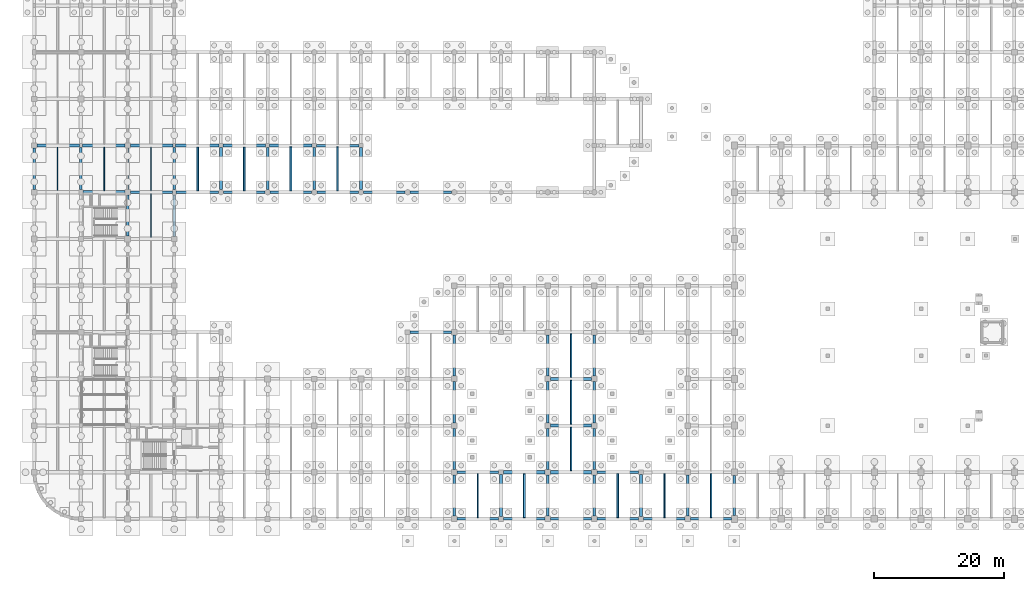
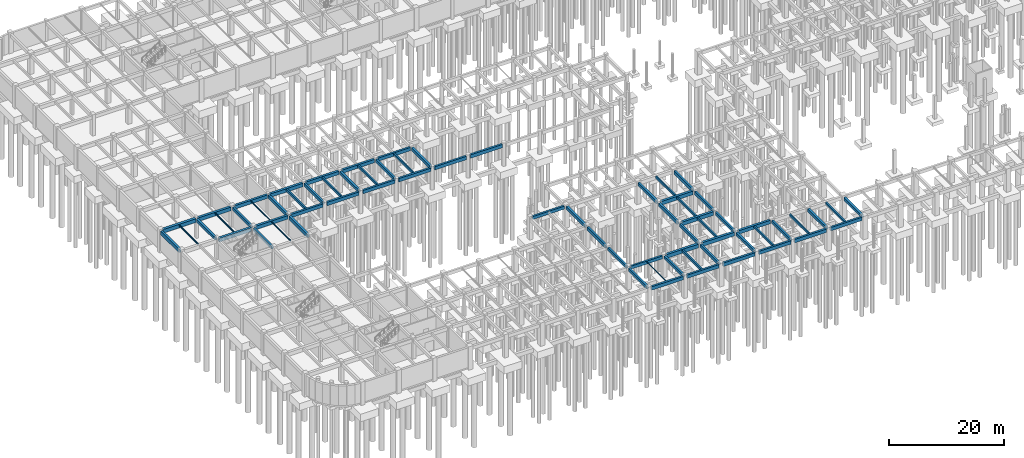
# One storey, part 26 of 47: 70 beams.
"""IFC4 building model written with IfcOpenShell, lengths in metres."""

from ifc_helpers import new_model, si_unit, direction, frame, origin, origin_2d, place, context, subcontext, project, spatial, rectangle, i_section, extrude, material, material_profile, profile_set, type_object, element, save


model = new_model("IFC4")

# Units and contexts
model_context = context("Model", 3, precision=1e-05, world=origin(), true_north=direction((0.0, 1.0)))
body_context = subcontext(model_context, "Body", "Model", "MODEL_VIEW")
ifc_project = project(units=[si_unit("LENGTHUNIT", "METRE"), si_unit("AREAUNIT", "SQUARE_METRE"), si_unit("VOLUMEUNIT", "CUBIC_METRE"), si_unit("PLANEANGLEUNIT", "RADIAN"), si_unit("MASSUNIT", "GRAM", prefix="KILO")], contexts=[model_context])

# Site, building, storey
site_placement = place(None, origin())
site = spatial("IfcSite", under=ifc_project, at=site_placement, CompositionType="ELEMENT")
building_placement = place(site_placement, origin())
building = spatial("IfcBuilding", under=site, at=building_placement, Name="Thalmaran Polytechnic", CompositionType="ELEMENT")
storey_placement = place(building_placement, frame((0.0, 0.0, -4.5)))
storey = spatial("IfcBuildingStorey", under=building, at=storey_placement, Name="B1", CompositionType="ELEMENT", Elevation=-4.5)

# Beams
ifc_material_1 = material(Name="Concrete C40/50", Category="concrete")
ifc_material_profile_1 = material_profile(ifc_material_1, rectangle(XDim=0.5, YDim=0.800048828125, at=origin_2d()), Name="RC 500x800")
ifc_profile_set_1 = profile_set([ifc_material_profile_1], Name="Concrete C40/50")
beam_type_1 = type_object("IfcBeamType", Name="BM-RC02", PredefinedType="BEAM", material=ifc_profile_set_1)
beam_1_placement = place(storey_placement, frame((0.409912109375, 57.60009765625, 3.77001953125), z_axis=(1.0, 0.0, 0.0), x_axis=(0.0, 1.0, 0.0)))
element("IfcBeam", 1, at=beam_1_placement, inside=storey, type_object=beam_type_1, Name="Grid Beam B02 B1 X(0,8)", PredefinedType="BEAM", context=body_context, shape_type="SweptSolid", body=[
    extrude(rectangle(XDim=0.5, YDim=0.800048828125, at=origin_2d()), origin(), (0.0, 0.0, 1.0), 6.565185546875),
])
beam_2_placement = place(storey_placement, frame((72.375, 7.199951171875, 3.7900390625), z_axis=(1.0, 0.0, 0.0), x_axis=(0.0, 1.0, 0.0)))
element("IfcBeam", 2, at=beam_2_placement, inside=storey, type_object=beam_type_1, Name="Grid Beam B02 B1 X(10,1)", PredefinedType="BEAM", context=body_context, shape_type="SweptSolid", body=[
    extrude(rectangle(XDim=0.5, YDim=0.800048828125, at=origin_2d()), origin(), (0.0, 0.0, 1.0), 6.39990234375),
])
ifc_material_profile_2 = material_profile(ifc_material_1, rectangle(XDim=0.449951171875, YDim=0.75, at=origin_2d()), Name="RC 450x750")
ifc_profile_set_2 = profile_set([ifc_material_profile_2], Name="Concrete C40/50")
beam_type_2 = type_object("IfcBeamType", Name="BM-RC03", PredefinedType="BEAM", material=ifc_profile_set_2)
beam_3_placement = place(storey_placement, frame((14.840087890625, 50.39990234375, 3.794921875), z_axis=(1.0, 0.0, 0.0), x_axis=(0.0, 1.0, 0.0)))
element("IfcBeam", 3, at=beam_3_placement, inside=storey, type_object=beam_type_2, Name="Grid Beam B03 B1 X(2,7)", PredefinedType="BEAM", context=body_context, shape_type="SweptSolid", body=[
    extrude(rectangle(XDim=0.449951171875, YDim=0.75, at=origin_2d()), origin(), (0.0, 0.0, 1.0), 6.4599609375),
])
beam_4_placement = place(storey_placement, frame((14.81005859375, 57.60009765625, 3.794921875), z_axis=(1.0, 0.0, 0.0), x_axis=(0.0, 1.0, 0.0)))
element("IfcBeam", 4, at=beam_4_placement, inside=storey, type_object=beam_type_2, Name="Grid Beam B03 B1 X(2,8)", PredefinedType="BEAM", context=body_context, shape_type="SweptSolid", body=[
    extrude(rectangle(XDim=0.449951171875, YDim=0.75, at=origin_2d()), origin(), (0.0, 0.0, 1.0), 6.56494140625),
])
beam_5_placement = place(storey_placement, frame((86.824951171875, 7.199951171875, 3.81494140625), z_axis=(1.0, 0.0, 0.0), x_axis=(0.0, 1.0, 0.0)))
element("IfcBeam", 5, at=beam_5_placement, inside=storey, type_object=beam_type_2, Name="Grid Beam B03 B1 X(12,1)", PredefinedType="BEAM", context=body_context, shape_type="SweptSolid", body=[
    extrude(rectangle(XDim=0.449951171875, YDim=0.75, at=origin_2d()), origin(), (0.0, 0.0, 1.0), 6.400146484375),
])
ifc_material_profile_3 = material_profile(ifc_material_1, rectangle(XDim=0.449951171875, YDim=0.72509765625, at=origin_2d()), Name="RC 450x725")
ifc_profile_set_3 = profile_set([ifc_material_profile_3], Name="Concrete C40/50")
beam_type_3 = type_object("IfcBeamType", Name="BM-RC04", PredefinedType="BEAM", material=ifc_profile_set_3)
beam_6_placement = place(storey_placement, frame((29.125, 57.60009765625, 3.827392578125), z_axis=(1.0, 0.0, 0.0), x_axis=(0.0, 1.0, 0.0)))
element("IfcBeam", 6, at=beam_6_placement, inside=storey, type_object=beam_type_3, Name="Grid Beam B04 B1 X(4,8)", PredefinedType="BEAM", context=body_context, shape_type="SweptSolid", body=[
    extrude(rectangle(XDim=0.449951171875, YDim=0.72509765625, at=origin_2d()), origin(), (0.0, 0.0, 1.0), 6.550048828125),
])
ifc_material_profile_4 = material_profile(ifc_material_1, rectangle(XDim=0.39990234375, YDim=0.699951171875, at=origin_2d()), Name="RC 400x700")
ifc_profile_set_4 = profile_set([ifc_material_profile_4], Name="Concrete C40/50")
beam_type_4 = type_object("IfcBeamType", Name="BM-RC05", PredefinedType="BEAM", material=ifc_profile_set_4)
beam_7_placement = place(storey_placement, frame((43.52490234375, 57.60009765625, 3.840087890625), z_axis=(1.0, 0.0, 0.0), x_axis=(0.0, 1.0, 0.0)))
element("IfcBeam", 7, at=beam_7_placement, inside=storey, type_object=beam_type_4, Name="Grid Beam B05 B1 X(6,8)", PredefinedType="BEAM", context=body_context, shape_type="SweptSolid", body=[
    extrude(rectangle(XDim=0.39990234375, YDim=0.699951171875, at=origin_2d()), origin(), (0.0, 0.0, 1.0), 6.550048828125),
])
ifc_material_profile_5 = material_profile(ifc_material_1, rectangle(XDim=0.39990234375, YDim=0.64990234375, at=origin_2d()), Name="RC 400x650")
ifc_profile_set_5 = profile_set([ifc_material_profile_5], Name="Concrete C40/50")
beam_type_5 = type_object("IfcBeamType", Name="BM-RC06", PredefinedType="BEAM", material=ifc_profile_set_5)
beam_8_placement = place(storey_placement, frame((57.97509765625, 28.800048828125, 3.864990234375), z_axis=(1.0, 0.0, 0.0), x_axis=(0.0, 1.0, 0.0)))
element("IfcBeam", 8, at=beam_8_placement, inside=storey, type_object=beam_type_5, Name="Grid Beam B06 B1 X(8,4)", PredefinedType="BEAM", context=body_context, shape_type="SweptSolid", body=[
    extrude(rectangle(XDim=0.39990234375, YDim=0.64990234375, at=origin_2d()), origin(), (0.0, 0.0, 1.0), 6.39990234375),
])
ifc_material_profile_6 = material_profile(ifc_material_1, rectangle(XDim=0.39990234375, YDim=0.6298828125, at=origin_2d()), Name="RC 400x630")
ifc_profile_set_6 = profile_set([ifc_material_profile_6], Name="Concrete C40/50")
beam_type_6 = type_object("IfcBeamType", Name="BM-RC07", PredefinedType="BEAM", material=ifc_profile_set_6)
beam_9_placement = place(storey_placement, frame((7.199951171875, 50.85009765625, 3.85498046875), z_axis=(0.0, 1.0, 0.0), x_axis=(-1.0, 0.0, 0.0)))
element("IfcBeam", 9, at=beam_9_placement, inside=storey, type_object=beam_type_6, Name="Grid Beam B07 B1 Y(1,7)", PredefinedType="BEAM", context=body_context, shape_type="SweptSolid", body=[
    extrude(rectangle(XDim=0.39990234375, YDim=0.6298828125, at=origin_2d()), origin(), (0.0, 0.0, 1.0), 6.4248046875),
])
beam_10_placement = place(storey_placement, frame((14.39990234375, 50.840087890625, 3.85498046875), z_axis=(0.0, 1.0, 0.0), x_axis=(-1.0, 0.0, 0.0)))
element("IfcBeam", 10, at=beam_10_placement, inside=storey, type_object=beam_type_6, Name="Grid Beam B07 B1 Y(2,7)", PredefinedType="BEAM", context=body_context, shape_type="SweptSolid", body=[
    extrude(rectangle(XDim=0.39990234375, YDim=0.6298828125, at=origin_2d()), origin(), (0.0, 0.0, 1.0), 6.349853515625),
])
beam_11_placement = place(storey_placement, frame((21.60009765625, 50.85009765625, 3.85498046875), z_axis=(0.0, 1.0, 0.0), x_axis=(-1.0, 0.0, 0.0)))
element("IfcBeam", 11, at=beam_11_placement, inside=storey, type_object=beam_type_6, Name="Grid Beam B07 B1 Y(3,7)", PredefinedType="BEAM", context=body_context, shape_type="SweptSolid", body=[
    extrude(rectangle(XDim=0.39990234375, YDim=0.6298828125, at=origin_2d()), origin(), (0.0, 0.0, 1.0), 6.4248046875),
])
for number, where, z_axis, x_axis, name in (
    (12, (28.800048828125, 50.800048828125, 3.85498046875), (0.0, 1.0, 0.0), (-1.0, 0.0, 0.0), "Grid Beam B07 B1 Y(4,7)"),
    (13, (36.0, 50.800048828125, 3.875), (0.0, 1.0, 0.0), (-1.0, 0.0, 0.0), "Grid Beam B07 B1 Y(5,7)"),
    (14, (43.199951171875, 50.800048828125, 3.875), (0.0, 1.0, 0.0), (-1.0, 0.0, 0.0), "Grid Beam B07 B1 Y(6,7)"),
    (15, (50.39990234375, 50.800048828125, 3.875), (0.0, 1.0, 0.0), (-1.0, 0.0, 0.0), "Grid Beam B07 B1 Y(7,7)"),
):
    element("IfcBeam", number, at=place(storey_placement, frame(where, z_axis=z_axis, x_axis=x_axis)), inside=storey, type_object=beam_type_6, Name=name, PredefinedType="BEAM", context=body_context, shape_type="SweptSolid", body=[
        extrude(rectangle(XDim=0.39990234375, YDim=0.6298828125, at=origin_2d()), origin(), (0.0, 0.0, 1.0), 6.474853515625),
    ])
beam_12_placement = place(storey_placement, frame((64.800048828125, 0.425048828125, 3.875), z_axis=(0.0, 1.0, 0.0), x_axis=(-1.0, 0.0, 0.0)))
element("IfcBeam", 16, at=beam_12_placement, inside=storey, type_object=beam_type_6, Name="Grid Beam B07 B1 Y(9,0)", PredefinedType="BEAM", context=body_context, shape_type="SweptSolid", body=[
    extrude(rectangle(XDim=0.39990234375, YDim=0.6298828125, at=origin_2d()), origin(), (0.0, 0.0, 1.0), 6.349853515625),
])
beam_13_placement = place(storey_placement, frame((72.0, 0.375, 3.875), z_axis=(0.0, 1.0, 0.0), x_axis=(-1.0, 0.0, 0.0)))
element("IfcBeam", 17, at=beam_13_placement, inside=storey, type_object=beam_type_6, Name="Grid Beam B07 B1 Y(10,0)", PredefinedType="BEAM", context=body_context, shape_type="SweptSolid", body=[
    extrude(rectangle(XDim=0.39990234375, YDim=0.6298828125, at=origin_2d()), origin(), (0.0, 0.0, 1.0), 6.449951171875),
])
for number, where, z_axis, x_axis, name in (
    (18, (79.199951171875, 0.425048828125, 3.875), (0.0, 1.0, 0.0), (-1.0, 0.0, 0.0), "Grid Beam B07 B1 Y(11,0)"),
    (19, (86.39990234375, 0.425048828125, 3.875), (0.0, 1.0, 0.0), (-1.0, 0.0, 0.0), "Grid Beam B07 B1 Y(12,0)"),
):
    element("IfcBeam", number, at=place(storey_placement, frame(where, z_axis=z_axis, x_axis=x_axis)), inside=storey, type_object=beam_type_6, Name=name, PredefinedType="BEAM", context=body_context, shape_type="SweptSolid", body=[
        extrude(rectangle(XDim=0.39990234375, YDim=0.6298828125, at=origin_2d()), origin(), (0.0, 0.0, 1.0), 6.349853515625),
    ])
beam_14_placement = place(storey_placement, frame((93.60009765625, 0.375, 3.875), z_axis=(0.0, 1.0, 0.0), x_axis=(-1.0, 0.0, 0.0)))
element("IfcBeam", 20, at=beam_14_placement, inside=storey, type_object=beam_type_6, Name="Grid Beam B07 B1 Y(13,0)", PredefinedType="BEAM", context=body_context, shape_type="SweptSolid", body=[
    extrude(rectangle(XDim=0.39990234375, YDim=0.6298828125, at=origin_2d()), origin(), (0.0, 0.0, 1.0), 6.449951171875),
])
beam_15_placement = place(storey_placement, frame((100.800048828125, 0.425048828125, 3.875), z_axis=(0.0, 1.0, 0.0), x_axis=(-1.0, 0.0, 0.0)))
element("IfcBeam", 21, at=beam_15_placement, inside=storey, type_object=beam_type_6, Name="Grid Beam B07 B1 Y(14,0)", PredefinedType="BEAM", context=body_context, shape_type="SweptSolid", body=[
    extrude(rectangle(XDim=0.39990234375, YDim=0.6298828125, at=origin_2d()), origin(), (0.0, 0.0, 1.0), 6.349853515625),
])
beam_16_placement = place(storey_placement, frame((108.0, 0.52490234375, 3.824951171875), z_axis=(0.0, 1.0, 0.0), x_axis=(-1.0, 0.0, 0.0)))
element("IfcBeam", 22, at=beam_16_placement, inside=storey, type_object=beam_type_6, Name="Grid Beam B07 B1 Y(15,0)", PredefinedType="BEAM", context=body_context, shape_type="SweptSolid", body=[
    extrude(rectangle(XDim=0.39990234375, YDim=0.6298828125, at=origin_2d()), origin(), (0.0, 0.0, 1.0), 6.150146484375),
])
ifc_material_profile_7 = material_profile(ifc_material_1, rectangle(XDim=0.389892578125, YDim=0.68505859375, at=origin_2d()), Name="RC 390x685")
ifc_profile_set_7 = profile_set([ifc_material_profile_7], Name="Concrete C40/50")
beam_type_7 = type_object("IfcBeamType", Name="BM-RC08", PredefinedType="BEAM", material=ifc_profile_set_7)
for number, where, z_axis, x_axis, name in (
    (23, (64.800048828125, 14.824951171875, 3.847412109375), (0.0, 1.0, 0.0), (-1.0, 0.0, 0.0), "Grid Beam B08 B1 Y(9,2)"),
    (24, (79.199951171875, 14.824951171875, 3.847412109375), (0.0, 1.0, 0.0), (-1.0, 0.0, 0.0), "Grid Beam B08 B1 Y(11,2)"),
    (25, (86.39990234375, 14.824951171875, 3.847412109375), (0.0, 1.0, 0.0), (-1.0, 0.0, 0.0), "Grid Beam B08 B1 Y(12,2)"),
):
    element("IfcBeam", number, at=place(storey_placement, frame(where, z_axis=z_axis, x_axis=x_axis)), inside=storey, type_object=beam_type_7, Name=name, PredefinedType="BEAM", context=body_context, shape_type="SweptSolid", body=[
        extrude(rectangle(XDim=0.389892578125, YDim=0.68505859375, at=origin_2d()), origin(), (0.0, 0.0, 1.0), 6.35009765625),
    ])
ifc_material_profile_8 = material_profile(ifc_material_1, rectangle(XDim=0.389892578125, YDim=0.695068359375, at=origin_2d()), Name="RC 390x695")
ifc_profile_set_8 = profile_set([ifc_material_profile_8], Name="Concrete C40/50")
beam_type_8 = type_object("IfcBeamType", Name="BM-RC10", PredefinedType="BEAM", material=ifc_profile_set_8)
beam_17_placement = place(storey_placement, frame((14.39990234375, 43.64990234375, 3.822509765625), z_axis=(0.0, 1.0, 0.0), x_axis=(-1.0, 0.0, 0.0)))
element("IfcBeam", 26, at=beam_17_placement, inside=storey, type_object=beam_type_8, Name="Grid Beam B10 B1 Y(2,6)", PredefinedType="BEAM", context=body_context, shape_type="SweptSolid", body=[
    extrude(rectangle(XDim=0.389892578125, YDim=0.695068359375, at=origin_2d()), origin(), (0.0, 0.0, 1.0), 6.31005859375),
])
ifc_material_profile_9 = material_profile(ifc_material_1, rectangle(XDim=0.300048828125, YDim=0.5, at=origin_2d()), Name="RC 300x500")
ifc_profile_set_9 = profile_set([ifc_material_profile_9], Name="Concrete C40/50")
beam_type_9 = type_object("IfcBeamType", Name="BM-RC11", PredefinedType="JOIST", material=ifc_profile_set_9)
beam_18_placement = place(storey_placement, frame((25.199951171875, 50.60009765625, 3.919921875), z_axis=(0.0, 1.0, 0.0), x_axis=(-1.0, 0.0, 0.0)))
element("IfcBeam", 27, at=beam_18_placement, inside=storey, type_object=beam_type_9, Name="Secondary Floor Rib RB01 B1 (3,7)", PredefinedType="JOIST", context=body_context, shape_type="SweptSolid", body=[
    extrude(rectangle(XDim=0.300048828125, YDim=0.5, at=origin_2d()), origin(), (0.0, 0.0, 1.0), 6.77001953125),
])
beam_19_placement = place(storey_placement, frame((75.60009765625, 0.199951171875, 3.93994140625), z_axis=(0.0, 1.0, 0.0), x_axis=(-1.0, 0.0, 0.0)))
element("IfcBeam", 28, at=beam_19_placement, inside=storey, type_object=beam_type_9, Name="Secondary Floor Rib RB01 B1 (10,0)", PredefinedType="JOIST", context=body_context, shape_type="SweptSolid", body=[
    extrude(rectangle(XDim=0.300048828125, YDim=0.5, at=origin_2d()), origin(), (0.0, 0.0, 1.0), 6.75),
])
ifc_material_profile_10 = material_profile(ifc_material_1, rectangle(XDim=0.300048828125, YDim=0.449951171875, at=origin_2d()), Name="RC 300x450")
ifc_profile_set_10 = profile_set([ifc_material_profile_10], Name="Concrete C40/50")
beam_type_10 = type_object("IfcBeamType", Name="BM-RC12", PredefinedType="JOIST", material=ifc_profile_set_10)
beam_20_placement = place(storey_placement, frame((39.60009765625, 50.60009765625, 3.965087890625), z_axis=(0.0, 1.0, 0.0), x_axis=(-1.0, 0.0, 0.0)))
element("IfcBeam", 29, at=beam_20_placement, inside=storey, type_object=beam_type_10, Name="Secondary Floor Rib RB02 B1 (5,7)", PredefinedType="JOIST", context=body_context, shape_type="SweptSolid", body=[
    extrude(rectangle(XDim=0.300048828125, YDim=0.449951171875, at=origin_2d()), origin(), (0.0, 0.0, 1.0), 6.77978515625),
])
beam_21_placement = place(storey_placement, frame((82.800048828125, 7.43994140625, 3.965087890625), z_axis=(0.0, 1.0, 0.0), x_axis=(-1.0, 0.0, 0.0)))
element("IfcBeam", 30, at=beam_21_placement, inside=storey, type_object=beam_type_10, Name="Secondary Floor Rib RB02 B1 (11,1)", PredefinedType="JOIST", context=body_context, shape_type="SweptSolid", body=[
    extrude(rectangle(XDim=0.300048828125, YDim=0.449951171875, at=origin_2d()), origin(), (0.0, 0.0, 1.0), 6.719970703125),
])
beam_22_placement = place(storey_placement, frame((90.0, 0.199951171875, 3.965087890625), z_axis=(0.0, 1.0, 0.0), x_axis=(-1.0, 0.0, 0.0)))
element("IfcBeam", 31, at=beam_22_placement, inside=storey, type_object=beam_type_10, Name="Secondary Floor Rib RB02 B1 (12,0)", PredefinedType="JOIST", context=body_context, shape_type="SweptSolid", body=[
    extrude(rectangle(XDim=0.300048828125, YDim=0.449951171875, at=origin_2d()), origin(), (0.0, 0.0, 1.0), 6.775146484375),
])
ifc_material_profile_11 = material_profile(ifc_material_1, rectangle(XDim=0.280029296875, YDim=0.449951171875, at=origin_2d()), Name="RC 280x450")
ifc_profile_set_11 = profile_set([ifc_material_profile_11], Name="Concrete C40/50")
beam_type_11 = type_object("IfcBeamType", Name="BM-RC13", PredefinedType="JOIST", material=ifc_profile_set_11)
beam_23_placement = place(storey_placement, frame((82.800048828125, 21.840087890625, 3.965087890625), z_axis=(0.0, 1.0, 0.0), x_axis=(-1.0, 0.0, 0.0)))
element("IfcBeam", 32, at=beam_23_placement, inside=storey, type_object=beam_type_11, Name="Secondary Floor Rib RB03 B1 (11,3)", PredefinedType="JOIST", context=body_context, shape_type="SweptSolid", body=[
    extrude(rectangle(XDim=0.280029296875, YDim=0.449951171875, at=origin_2d()), origin(), (0.0, 0.0, 1.0), 6.719970703125),
])
beam_24_placement = place(storey_placement, frame((104.39990234375, 0.199951171875, 3.965087890625), z_axis=(0.0, 1.0, 0.0), x_axis=(-1.0, 0.0, 0.0)))
element("IfcBeam", 33, at=beam_24_placement, inside=storey, type_object=beam_type_11, Name="Secondary Floor Rib RB03 B1 (14,0)", PredefinedType="JOIST", context=body_context, shape_type="SweptSolid", body=[
    extrude(rectangle(XDim=0.280029296875, YDim=0.449951171875, at=origin_2d()), origin(), (0.0, 0.0, 1.0), 6.775146484375),
])
ifc_material_2 = material(Name="Steel S355", Category="steel")
ifc_material_profile_12 = material_profile(ifc_material_2, i_section(OverallWidth=0.159912109375, OverallDepth=0.330078125, WebThickness=0.007568359375, FlangeThickness=0.011474609375, at=origin_2d()), Name="IPE 330")
ifc_profile_set_12 = profile_set([ifc_material_profile_12], Name="Steel S355")
beam_type_12 = type_object("IfcBeamType", Name="BM-SJ02", PredefinedType="JOIST", material=ifc_profile_set_12)
beam_25_placement = place(storey_placement, frame((3.60009765625, 50.64990234375, 4.0048828125), z_axis=(0.0, 1.0, 0.0), x_axis=(-1.0, 0.0, 0.0)))
element("IfcBeam", 34, at=beam_25_placement, inside=storey, type_object=beam_type_12, Name="Secondary Floor Rib SJ02 B1 (0,7)", PredefinedType="JOIST", context=body_context, shape_type="SweptSolid", body=[
    extrude(i_section(OverallWidth=0.159912109375, OverallDepth=0.330078125, WebThickness=0.007568359375, FlangeThickness=0.011474609375, at=origin_2d()), origin(), (0.0, 0.0, 1.0), 6.7001953125),
])
ifc_material_profile_13 = material_profile(ifc_material_2, i_section(OverallWidth=0.135009765625, OverallDepth=0.27001953125, WebThickness=0.006591796875, FlangeThickness=0.01025390625, at=origin_2d()), Name="IPE 270")
ifc_profile_set_13 = profile_set([ifc_material_profile_13], Name="Steel S355")
beam_type_13 = type_object("IfcBeamType", Name="BM-SJ03", PredefinedType="JOIST", material=ifc_profile_set_13)
beam_26_placement = place(storey_placement, frame((10.800048828125, 50.639892578125, 4.034912109375), z_axis=(0.0, 1.0, 0.0), x_axis=(-1.0, 0.0, 0.0)))
element("IfcBeam", 35, at=beam_26_placement, inside=storey, type_object=beam_type_13, Name="Secondary Floor Rib SJ03 B1 (1,7)", PredefinedType="JOIST", context=body_context, shape_type="SweptSolid", body=[
    extrude(i_section(OverallWidth=0.135009765625, OverallDepth=0.27001953125, WebThickness=0.006591796875, FlangeThickness=0.01025390625, at=origin_2d()), origin(), (0.0, 0.0, 1.0), 6.72021484375),
])
beam_27_placement = place(storey_placement, frame((18.0, 43.425048828125, 4.034912109375), z_axis=(0.0, 1.0, 0.0), x_axis=(-1.0, 0.0, 0.0)))
element("IfcBeam", 36, at=beam_27_placement, inside=storey, type_object=beam_type_13, Name="Secondary Floor Rib SJ03 B1 (2,6)", PredefinedType="JOIST", context=body_context, shape_type="SweptSolid", body=[
    extrude(i_section(OverallWidth=0.135009765625, OverallDepth=0.27001953125, WebThickness=0.006591796875, FlangeThickness=0.01025390625, at=origin_2d()), origin(), (0.0, 0.0, 1.0), 6.75),
])
ifc_material_profile_14 = material_profile(ifc_material_2, i_section(OverallWidth=0.110107421875, OverallDepth=0.219970703125, WebThickness=0.005859375, FlangeThickness=0.00927734375, at=origin_2d()), Name="IPE 220")
ifc_profile_set_14 = profile_set([ifc_material_profile_14], Name="Steel S355")
beam_type_14 = type_object("IfcBeamType", Name="BM-SJ04", PredefinedType="JOIST", material=ifc_profile_set_14)
beam_28_placement = place(storey_placement, frame((18.0, 50.625, 4.06005859375), z_axis=(0.0, 1.0, 0.0), x_axis=(-1.0, 0.0, 0.0)))
element("IfcBeam", 37, at=beam_28_placement, inside=storey, type_object=beam_type_14, Name="Secondary Floor Rib SJ04 B1 (2,7)", PredefinedType="JOIST", context=body_context, shape_type="SweptSolid", body=[
    extrude(i_section(OverallWidth=0.110107421875, OverallDepth=0.219970703125, WebThickness=0.005859375, FlangeThickness=0.00927734375, at=origin_2d()), origin(), (0.0, 0.0, 1.0), 6.75),
])
beam_29_placement = place(storey_placement, frame((68.39990234375, 0.199951171875, 4.080078125), z_axis=(0.0, 1.0, 0.0), x_axis=(-1.0, 0.0, 0.0)))
element("IfcBeam", 38, at=beam_29_placement, inside=storey, type_object=beam_type_14, Name="Secondary Floor Rib SJ04 B1 (9,0)", PredefinedType="JOIST", context=body_context, shape_type="SweptSolid", body=[
    extrude(i_section(OverallWidth=0.110107421875, OverallDepth=0.219970703125, WebThickness=0.005859375, FlangeThickness=0.00927734375, at=origin_2d()), origin(), (0.0, 0.0, 1.0), 6.81005859375),
])
ifc_material_profile_15 = material_profile(ifc_material_1, rectangle(XDim=0.39990234375, YDim=0.719970703125, at=origin_2d()), Name="RC 400x720")
ifc_profile_set_15 = profile_set([ifc_material_profile_15], Name="Concrete C40/50")
beam_type_15 = type_object("IfcBeamType", Name="BM-SP01", PredefinedType="SPANDREL", material=ifc_profile_set_15)
beam_30_placement = place(storey_placement, frame((21.89990234375, 50.39990234375, 3.81005859375), z_axis=(1.0, 0.0, 0.0), x_axis=(0.0, 1.0, 0.0)))
element("IfcBeam", 39, at=beam_30_placement, inside=storey, type_object=beam_type_15, Name="Grid Beam SP01 B1 X(3,7)", PredefinedType="SPANDREL", context=body_context, shape_type="SweptSolid", body=[
    extrude(rectangle(XDim=0.39990234375, YDim=0.719970703125, at=origin_2d()), origin(), (0.0, 0.0, 1.0), 6.5),
])
for number, where, z_axis, x_axis, name in (
    (40, (29.199951171875, 50.39990234375, 3.830078125), (1.0, 0.0, 0.0), (0.0, 1.0, 0.0), "Grid Beam SP01 B1 X(4,7)"),
    (41, (36.39990234375, 50.39990234375, 3.830078125), (1.0, 0.0, 0.0), (0.0, 1.0, 0.0), "Grid Beam SP01 B1 X(5,7)"),
):
    element("IfcBeam", number, at=place(storey_placement, frame(where, z_axis=z_axis, x_axis=x_axis)), inside=storey, type_object=beam_type_15, Name=name, PredefinedType="SPANDREL", context=body_context, shape_type="SweptSolid", body=[
        extrude(rectangle(XDim=0.39990234375, YDim=0.719970703125, at=origin_2d()), origin(), (0.0, 0.0, 1.0), 6.400146484375),
    ])
for number, where, z_axis, x_axis, name in (
    (42, (43.60009765625, 50.39990234375, 3.830078125), (1.0, 0.0, 0.0), (0.0, 1.0, 0.0), "Grid Beam SP01 B1 X(6,7)"),
    (43, (50.800048828125, 50.39990234375, 3.830078125), (1.0, 0.0, 0.0), (0.0, 1.0, 0.0), "Grid Beam SP01 B1 X(7,7)"),
    (44, (58.0, 50.39990234375, 3.830078125), (1.0, 0.0, 0.0), (0.0, 1.0, 0.0), "Grid Beam SP01 B1 X(8,7)"),
    (45, (65.22509765625, 0.0, 3.830078125), (1.0, 0.0, 0.0), (0.0, 1.0, 0.0), "Grid Beam SP01 B1 X(9,0)"),
    (46, (72.375, 0.0, 3.830078125), (1.0, 0.0, 0.0), (0.0, 1.0, 0.0), "Grid Beam SP01 B1 X(10,0)"),
):
    element("IfcBeam", number, at=place(storey_placement, frame(where, z_axis=z_axis, x_axis=x_axis)), inside=storey, type_object=beam_type_15, Name=name, PredefinedType="SPANDREL", context=body_context, shape_type="SweptSolid", body=[
        extrude(rectangle(XDim=0.39990234375, YDim=0.719970703125, at=origin_2d()), origin(), (0.0, 0.0, 1.0), 6.39990234375),
    ])
beam_31_placement = place(storey_placement, frame((79.625, 0.0, 3.830078125), z_axis=(1.0, 0.0, 0.0), x_axis=(0.0, 1.0, 0.0)))
element("IfcBeam", 47, at=beam_31_placement, inside=storey, type_object=beam_type_15, Name="Grid Beam SP01 B1 X(11,0)", PredefinedType="SPANDREL", context=body_context, shape_type="SweptSolid", body=[
    extrude(rectangle(XDim=0.39990234375, YDim=0.719970703125, at=origin_2d()), origin(), (0.0, 0.0, 1.0), 6.35009765625),
])
beam_32_placement = place(storey_placement, frame((86.824951171875, 0.0, 3.830078125), z_axis=(1.0, 0.0, 0.0), x_axis=(0.0, 1.0, 0.0)))
element("IfcBeam", 48, at=beam_32_placement, inside=storey, type_object=beam_type_15, Name="Grid Beam SP01 B1 X(12,0)", PredefinedType="SPANDREL", context=body_context, shape_type="SweptSolid", body=[
    extrude(rectangle(XDim=0.39990234375, YDim=0.719970703125, at=origin_2d()), origin(), (0.0, 0.0, 1.0), 6.400146484375),
])
beam_33_placement = place(storey_placement, frame((93.97509765625, 0.0, 3.830078125), z_axis=(1.0, 0.0, 0.0), x_axis=(0.0, 1.0, 0.0)))
element("IfcBeam", 49, at=beam_33_placement, inside=storey, type_object=beam_type_15, Name="Grid Beam SP01 B1 X(13,0)", PredefinedType="SPANDREL", context=body_context, shape_type="SweptSolid", body=[
    extrude(rectangle(XDim=0.39990234375, YDim=0.719970703125, at=origin_2d()), origin(), (0.0, 0.0, 1.0), 6.39990234375),
])
beam_34_placement = place(storey_placement, frame((101.22509765625, 0.0, 3.830078125), z_axis=(1.0, 0.0, 0.0), x_axis=(0.0, 1.0, 0.0)))
element("IfcBeam", 50, at=beam_34_placement, inside=storey, type_object=beam_type_15, Name="Grid Beam SP01 B1 X(14,0)", PredefinedType="SPANDREL", context=body_context, shape_type="SweptSolid", body=[
    extrude(rectangle(XDim=0.39990234375, YDim=0.719970703125, at=origin_2d()), origin(), (0.0, 0.0, 1.0), 6.2998046875),
])
ifc_material_profile_16 = material_profile(ifc_material_1, rectangle(XDim=0.449951171875, YDim=0.7548828125, at=origin_2d()), Name="RC 450x755")
ifc_profile_set_16 = profile_set([ifc_material_profile_16], Name="Concrete C40/50")
beam_type_16 = type_object("IfcBeamType", Name="BM-SP02", PredefinedType="SPANDREL", material=ifc_profile_set_16)
for number, where, z_axis, x_axis, name in (
    (51, (0.0, 50.840087890625, 3.79248046875), (0.0, 1.0, 0.0), (-1.0, 0.0, 0.0), "Grid Beam SP02 B1 Y(0,7)"),
    (52, (21.60009765625, 43.60009765625, 3.79248046875), (0.0, 1.0, 0.0), (-1.0, 0.0, 0.0), "Grid Beam SP02 B1 Y(3,6)"),
):
    element("IfcBeam", number, at=place(storey_placement, frame(where, z_axis=z_axis, x_axis=x_axis)), inside=storey, type_object=beam_type_16, Name=name, PredefinedType="SPANDREL", context=body_context, shape_type="SweptSolid", body=[
        extrude(rectangle(XDim=0.449951171875, YDim=0.7548828125, at=origin_2d()), origin(), (0.0, 0.0, 1.0), 6.349853515625),
    ])
ifc_material_profile_17 = material_profile(ifc_material_1, rectangle(XDim=0.47998046875, YDim=0.780029296875, at=origin_2d()), Name="RC 480x780")
ifc_profile_set_17 = profile_set([ifc_material_profile_17], Name="Concrete C40/50")
beam_type_17 = type_object("IfcBeamType", Name="BM-ZB01", PredefinedType="BEAM", material=ifc_profile_set_17)
beam_35_placement = place(storey_placement, frame((7.5, 50.39990234375, 3.780029296875), z_axis=(1.0, 0.0, 0.0), x_axis=(0.0, 1.0, 0.0)))
element("IfcBeam", 53, at=beam_35_placement, inside=storey, type_object=beam_type_17, Name="Grid Beam ZB01 B1 X(1,7)", PredefinedType="BEAM", context=body_context, shape_type="SweptSolid", body=[
    extrude(rectangle(XDim=0.47998046875, YDim=0.780029296875, at=origin_2d()), origin(), (0.0, 0.0, 1.0), 6.4599609375),
])
beam_36_placement = place(storey_placement, frame((7.425048828125, 57.60009765625, 3.780029296875), z_axis=(1.0, 0.0, 0.0), x_axis=(0.0, 1.0, 0.0)))
element("IfcBeam", 54, at=beam_36_placement, inside=storey, type_object=beam_type_17, Name="Grid Beam ZB01 B1 X(1,8)", PredefinedType="BEAM", context=body_context, shape_type="SweptSolid", body=[
    extrude(rectangle(XDim=0.47998046875, YDim=0.780029296875, at=origin_2d()), origin(), (0.0, 0.0, 1.0), 6.56494140625),
])
for number, where, z_axis, x_axis, name in (
    (55, (79.625, 7.199951171875, 3.800048828125), (1.0, 0.0, 0.0), (0.0, 1.0, 0.0), "Grid Beam ZB01 B1 X(11,1)"),
    (56, (79.625, 14.39990234375, 3.800048828125), (1.0, 0.0, 0.0), (0.0, 1.0, 0.0), "Grid Beam ZB01 B1 X(11,2)"),
    (57, (79.625, 21.60009765625, 3.800048828125), (1.0, 0.0, 0.0), (0.0, 1.0, 0.0), "Grid Beam ZB01 B1 X(11,3)"),
):
    element("IfcBeam", number, at=place(storey_placement, frame(where, z_axis=z_axis, x_axis=x_axis)), inside=storey, type_object=beam_type_17, Name=name, PredefinedType="BEAM", context=body_context, shape_type="SweptSolid", body=[
        extrude(rectangle(XDim=0.47998046875, YDim=0.780029296875, at=origin_2d()), origin(), (0.0, 0.0, 1.0), 6.35009765625),
    ])
ifc_material_profile_18 = material_profile(ifc_material_1, rectangle(XDim=0.4599609375, YDim=0.739990234375, at=origin_2d()), Name="RC 460x740")
ifc_profile_set_18 = profile_set([ifc_material_profile_18], Name="Concrete C40/50")
beam_type_18 = type_object("IfcBeamType", Name="BM-ZB02", PredefinedType="BEAM", material=ifc_profile_set_18)
beam_37_placement = place(storey_placement, frame((21.824951171875, 57.60009765625, 3.800048828125), z_axis=(1.0, 0.0, 0.0), x_axis=(0.0, 1.0, 0.0)))
element("IfcBeam", 58, at=beam_37_placement, inside=storey, type_object=beam_type_18, Name="Grid Beam ZB02 B1 X(3,8)", PredefinedType="BEAM", context=body_context, shape_type="SweptSolid", body=[
    extrude(rectangle(XDim=0.4599609375, YDim=0.739990234375, at=origin_2d()), origin(), (0.0, 0.0, 1.0), 6.650146484375),
])
ifc_material_profile_19 = material_profile(ifc_material_1, rectangle(XDim=0.43994140625, YDim=0.719970703125, at=origin_2d()), Name="RC 440x720")
ifc_profile_set_19 = profile_set([ifc_material_profile_19], Name="Concrete C40/50")
beam_type_19 = type_object("IfcBeamType", Name="BM-ZB03", PredefinedType="BEAM", material=ifc_profile_set_19)
beam_38_placement = place(storey_placement, frame((36.324951171875, 57.60009765625, 3.830078125), z_axis=(1.0, 0.0, 0.0), x_axis=(0.0, 1.0, 0.0)))
element("IfcBeam", 59, at=beam_38_placement, inside=storey, type_object=beam_type_19, Name="Grid Beam ZB03 B1 X(5,8)", PredefinedType="BEAM", context=body_context, shape_type="SweptSolid", body=[
    extrude(rectangle(XDim=0.43994140625, YDim=0.719970703125, at=origin_2d()), origin(), (0.0, 0.0, 1.0), 6.550048828125),
])
ifc_material_profile_20 = material_profile(ifc_material_1, rectangle(XDim=0.3798828125, YDim=0.639892578125, at=origin_2d()), Name="RC 380x640")
ifc_profile_set_20 = profile_set([ifc_material_profile_20], Name="Concrete C40/50")
beam_type_20 = type_object("IfcBeamType", Name="BM-ZB05", PredefinedType="BEAM", material=ifc_profile_set_20)
beam_39_placement = place(storey_placement, frame((65.22509765625, 7.199951171875, 3.8701171875), z_axis=(1.0, 0.0, 0.0), x_axis=(0.0, 1.0, 0.0)))
element("IfcBeam", 60, at=beam_39_placement, inside=storey, type_object=beam_type_20, Name="Grid Beam ZB05 B1 X(9,1)", PredefinedType="BEAM", context=body_context, shape_type="SweptSolid", body=[
    extrude(rectangle(XDim=0.3798828125, YDim=0.639892578125, at=origin_2d()), origin(), (0.0, 0.0, 1.0), 6.39990234375),
])
ifc_material_profile_21 = material_profile(ifc_material_1, rectangle(XDim=0.3798828125, YDim=0.635009765625, at=origin_2d()), Name="RC 380x635")
ifc_profile_set_21 = profile_set([ifc_material_profile_21], Name="Concrete C40/50")
beam_type_21 = type_object("IfcBeamType", Name="BM-ZB06", PredefinedType="BEAM", material=ifc_profile_set_21)
for number, where, z_axis, x_axis, name in (
    (61, (64.800048828125, 7.625, 3.87255859375), (0.0, 1.0, 0.0), (-1.0, 0.0, 0.0), "Grid Beam ZB06 B1 Y(9,1)"),
    (62, (79.199951171875, 7.625, 3.87255859375), (0.0, 1.0, 0.0), (-1.0, 0.0, 0.0), "Grid Beam ZB06 B1 Y(11,1)"),
    (63, (86.39990234375, 7.625, 3.87255859375), (0.0, 1.0, 0.0), (-1.0, 0.0, 0.0), "Grid Beam ZB06 B1 Y(12,1)"),
):
    element("IfcBeam", number, at=place(storey_placement, frame(where, z_axis=z_axis, x_axis=x_axis)), inside=storey, type_object=beam_type_21, Name=name, PredefinedType="BEAM", context=body_context, shape_type="SweptSolid", body=[
        extrude(rectangle(XDim=0.3798828125, YDim=0.635009765625, at=origin_2d()), origin(), (0.0, 0.0, 1.0), 6.35009765625),
    ])
ifc_material_profile_22 = material_profile(ifc_material_1, rectangle(XDim=0.39990234375, YDim=0.68505859375, at=origin_2d()), Name="RC 400x685")
ifc_profile_set_22 = profile_set([ifc_material_profile_22], Name="Concrete C40/50")
beam_type_22 = type_object("IfcBeamType", Name="BM-ZB07", PredefinedType="BEAM", material=ifc_profile_set_22)
for number, where, z_axis, x_axis, name in (
    (64, (64.800048828125, 22.02490234375, 3.847412109375), (0.0, 1.0, 0.0), (-1.0, 0.0, 0.0), "Grid Beam ZB07 B1 Y(9,3)"),
    (65, (79.199951171875, 22.02490234375, 3.847412109375), (0.0, 1.0, 0.0), (-1.0, 0.0, 0.0), "Grid Beam ZB07 B1 Y(11,3)"),
    (66, (86.39990234375, 22.02490234375, 3.847412109375), (0.0, 1.0, 0.0), (-1.0, 0.0, 0.0), "Grid Beam ZB07 B1 Y(12,3)"),
):
    element("IfcBeam", number, at=place(storey_placement, frame(where, z_axis=z_axis, x_axis=x_axis)), inside=storey, type_object=beam_type_22, Name=name, PredefinedType="BEAM", context=body_context, shape_type="SweptSolid", body=[
        extrude(rectangle(XDim=0.39990234375, YDim=0.68505859375, at=origin_2d()), origin(), (0.0, 0.0, 1.0), 6.35009765625),
    ])
ifc_material_profile_23 = material_profile(ifc_material_1, rectangle(XDim=0.280029296875, YDim=0.47998046875, at=origin_2d()), Name="RC 280x480")
ifc_profile_set_23 = profile_set([ifc_material_profile_23], Name="Concrete C40/50")
beam_type_23 = type_object("IfcBeamType", Name="BM-ZJ01", PredefinedType="JOIST", material=ifc_profile_set_23)
beam_40_placement = place(storey_placement, frame((32.39990234375, 50.60009765625, 3.949951171875), z_axis=(0.0, 1.0, 0.0), x_axis=(-1.0, 0.0, 0.0)))
element("IfcBeam", 67, at=beam_40_placement, inside=storey, type_object=beam_type_23, Name="Secondary Floor Rib ZJ01 B1 (4,7)", PredefinedType="JOIST", context=body_context, shape_type="SweptSolid", body=[
    extrude(rectangle(XDim=0.280029296875, YDim=0.47998046875, at=origin_2d()), origin(), (0.0, 0.0, 1.0), 6.77490234375),
])
ifc_material_profile_24 = material_profile(ifc_material_1, rectangle(XDim=0.260009765625, YDim=0.43994140625, at=origin_2d()), Name="RC 260x440")
ifc_profile_set_24 = profile_set([ifc_material_profile_24], Name="Concrete C40/50")
beam_type_24 = type_object("IfcBeamType", Name="BM-ZJ02", PredefinedType="JOIST", material=ifc_profile_set_24)
beam_41_placement = place(storey_placement, frame((46.800048828125, 50.60009765625, 3.969970703125), z_axis=(0.0, 1.0, 0.0), x_axis=(-1.0, 0.0, 0.0)))
element("IfcBeam", 68, at=beam_41_placement, inside=storey, type_object=beam_type_24, Name="Secondary Floor Rib ZJ02 B1 (6,7)", PredefinedType="JOIST", context=body_context, shape_type="SweptSolid", body=[
    extrude(rectangle(XDim=0.260009765625, YDim=0.43994140625, at=origin_2d()), origin(), (0.0, 0.0, 1.0), 6.7998046875),
])
beam_42_placement = place(storey_placement, frame((82.800048828125, 14.639892578125, 3.969970703125), z_axis=(0.0, 1.0, 0.0), x_axis=(-1.0, 0.0, 0.0)))
element("IfcBeam", 69, at=beam_42_placement, inside=storey, type_object=beam_type_24, Name="Secondary Floor Rib ZJ02 B1 (11,2)", PredefinedType="JOIST", context=body_context, shape_type="SweptSolid", body=[
    extrude(rectangle(XDim=0.260009765625, YDim=0.43994140625, at=origin_2d()), origin(), (0.0, 0.0, 1.0), 6.72021484375),
])
beam_43_placement = place(storey_placement, frame((97.199951171875, 0.199951171875, 3.969970703125), z_axis=(0.0, 1.0, 0.0), x_axis=(-1.0, 0.0, 0.0)))
element("IfcBeam", 70, at=beam_43_placement, inside=storey, type_object=beam_type_24, Name="Secondary Floor Rib ZJ02 B1 (13,0)", PredefinedType="JOIST", context=body_context, shape_type="SweptSolid", body=[
    extrude(rectangle(XDim=0.260009765625, YDim=0.43994140625, at=origin_2d()), origin(), (0.0, 0.0, 1.0), 6.77001953125),
])

save(model, "model.ifc")
